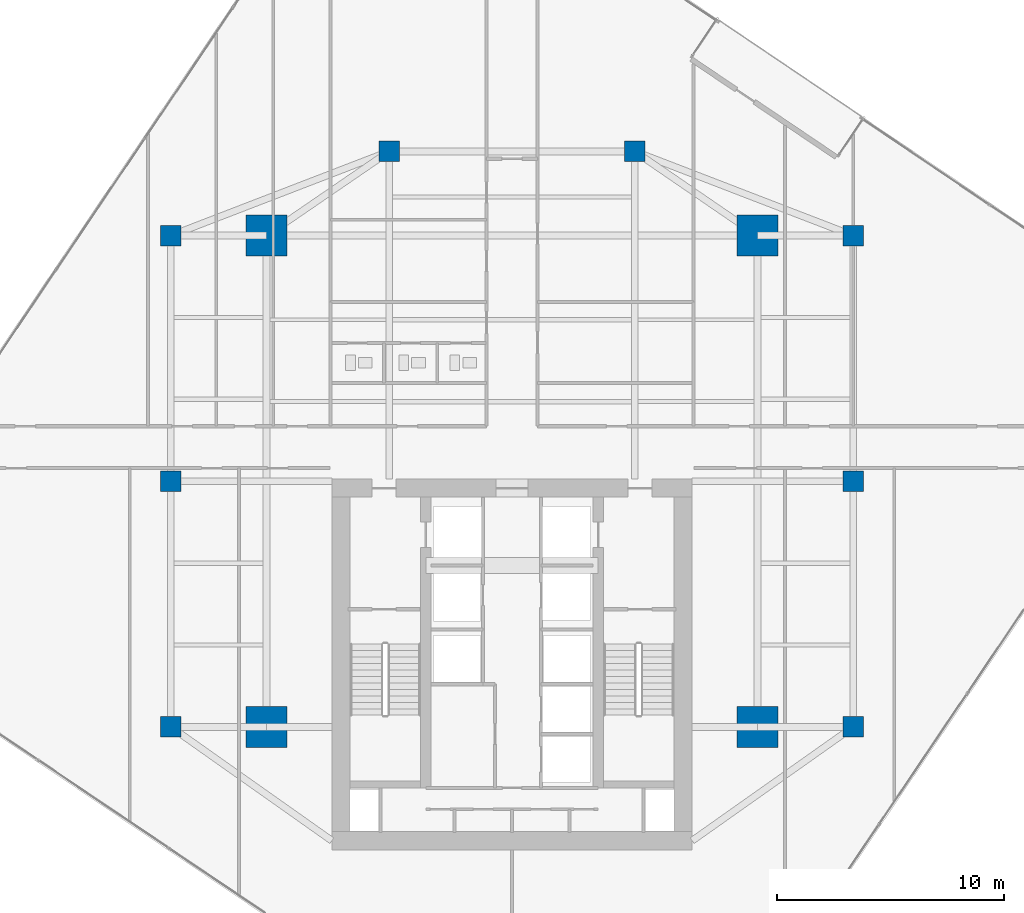
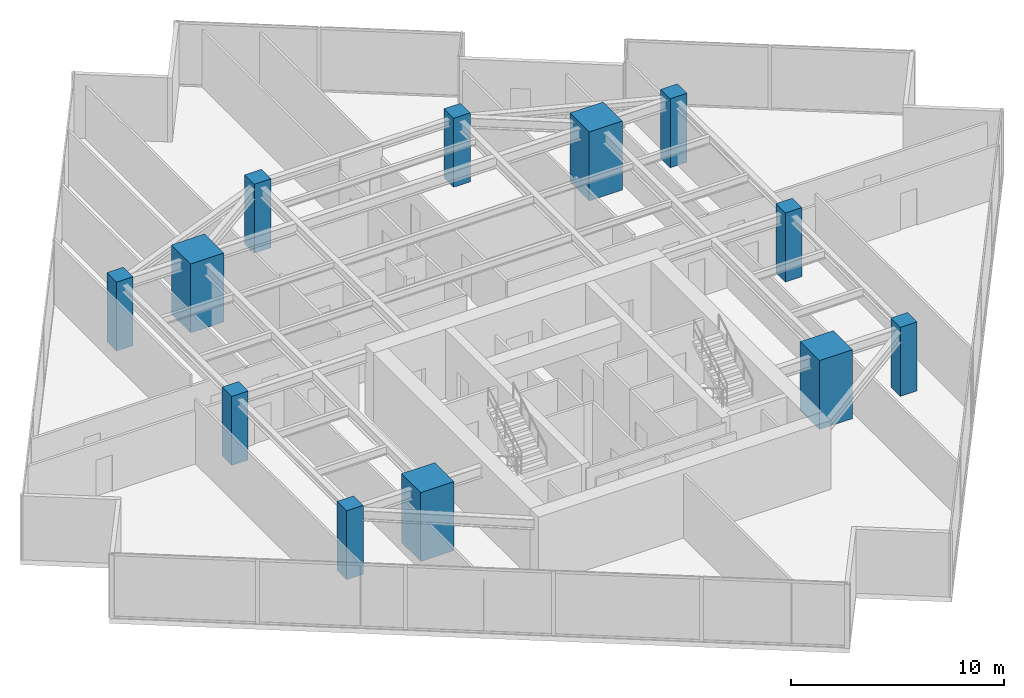
# One storey, part 1 of 27: 12 columns.
"""IFC4 building model written with IfcOpenShell, lengths in metres."""

from ifc_helpers import new_model, si_unit, direction, frame, origin, origin_2d, place, context, subcontext, project, spatial, rectangle, extrude, source, transform, mapped, material, material_profile, profile_set, type_object, type_shapes, element, save


model = new_model("IFC4")

# Units and contexts
model_context = context("Model", 3, precision=1e-05, world=origin(), true_north=direction((0.0, 1.0)))
body_context = subcontext(model_context, "Body", "Model", "MODEL_VIEW")
ifc_project = project(units=[si_unit("LENGTHUNIT", "METRE"), si_unit("AREAUNIT", "SQUARE_METRE"), si_unit("VOLUMEUNIT", "CUBIC_METRE"), si_unit("PLANEANGLEUNIT", "RADIAN"), si_unit("MASSUNIT", "GRAM", prefix="KILO")], contexts=[model_context])

# Site, building, storey
site_placement = place(None, origin())
site = spatial("IfcSite", under=ifc_project, at=site_placement, CompositionType="ELEMENT")
building_placement = place(site_placement, origin())
building = spatial("IfcBuilding", under=site, at=building_placement, Name="Krantzveldt Concourse Tower", CompositionType="ELEMENT")
storey_placement = place(building_placement, frame((0.0, 0.0, 189.64990234375)))
storey = spatial("IfcBuildingStorey", under=building, at=storey_placement, Name="L46", CompositionType="ELEMENT", Elevation=189.64990234375)

# Columns
ifc_material = material(Name="Concrete C50/60", Category="concrete")
ifc_material_profile_1 = material_profile(ifc_material, rectangle(XDim=1.800048828125, YDim=1.800048828125, at=origin_2d()), Name="Concrete C50/60", Category="concrete")
ifc_profile_set_1 = profile_set([ifc_material_profile_1], Name="Concrete C50/60 - RC 1800x1800")
column_type_1 = type_object("IfcColumnType", Name="COL-MC-1800", PredefinedType="USERDEFINED", material=ifc_profile_set_1)
shared_shape_1 = source(origin(), body_context, "Body", "SweptSolid", [
    extrude(rectangle(XDim=1.800048828125, YDim=1.800048828125, at=origin_2d()), origin(), (0.0, 0.0, 1.0), 3.9501953125),
])
type_shapes(column_type_1, [shared_shape_1])
for number, where, z_axis, x_axis, name in (
    (1, (25.199951171875, 15.89990234375, 0.0), (0.0, 0.0, 1.0), (1.0, 0.0, 0.0), "MC-SW-L46"),
    (2, (46.800048828125, 15.89990234375, 0.0), (0.0, 0.0, 1.0), (1.0, 0.0, 0.0), "MC-SE-L46"),
    (3, (46.800048828125, 37.5, 0.0), (0.0, 0.0, 1.0), (1.0, 0.0, 0.0), "MC-NE-L46"),
    (4, (25.199951171875, 37.5, 0.0), (0.0, 0.0, 1.0), (1.0, 0.0, 0.0), "MC-NW-L46"),
):
    element("IfcColumn", number, at=place(storey_placement, frame(where, z_axis=z_axis, x_axis=x_axis)), inside=storey, type_object=column_type_1, Name=name, ObjectType="MEGA COLUMN", PredefinedType="USERDEFINED", context=body_context, shape_type="MappedRepresentation", body=[
        mapped(shared_shape_1, transform((0.0, 0.0, 0.0), x_axis=(1.0, 0.0, 0.0), y_axis=(0.0, 1.0, 0.0), z_axis=(0.0, 0.0, 1.0), scale=1.0)),
    ])
ifc_material_profile_2 = material_profile(ifc_material, rectangle(XDim=0.89990234375, YDim=0.89990234375, at=origin_2d()), Name="Concrete C50/60", Category="concrete")
ifc_profile_set_2 = profile_set([ifc_material_profile_2], Name="Concrete C50/60 - RC 900x900")
column_type_2 = type_object("IfcColumnType", Name="COL-C-Z3", PredefinedType="COLUMN", material=ifc_profile_set_2)
shared_shape_2 = source(origin(), body_context, "Body", "SweptSolid", [
    extrude(rectangle(XDim=0.89990234375, YDim=0.89990234375, at=origin_2d()), origin(), (0.0, 0.0, 1.0), 3.9501953125),
])
type_shapes(column_type_2, [shared_shape_2])
for number, where, z_axis, x_axis, name in (
    (5, (21.0, 15.89990234375, 0.0), (0.0, 0.0, 1.0), (1.0, 0.0, 0.0), "PC-R01-L46"),
    (6, (21.0, 26.699951171875, 0.0), (0.0, 0.0, 1.0), (1.0, 0.0, 0.0), "PC-R02-L46"),
    (7, (21.0, 37.5, 0.0), (0.0, 0.0, 1.0), (1.0, 0.0, 0.0), "PC-R03-L46"),
    (8, (30.60009765625, 41.199951171875, 0.0), (0.0, 0.0, 1.0), (1.0, 0.0, 0.0), "PC-R04-L46"),
    (9, (41.39990234375, 41.199951171875, 0.0), (0.0, 0.0, 1.0), (1.0, 0.0, 0.0), "PC-R05-L46"),
    (10, (51.0, 37.5, 0.0), (0.0, 0.0, 1.0), (1.0, 0.0, 0.0), "PC-R06-L46"),
    (11, (51.0, 26.699951171875, 0.0), (0.0, 0.0, 1.0), (1.0, 0.0, 0.0), "PC-R07-L46"),
    (12, (51.0, 15.89990234375, 0.0), (0.0, 0.0, 1.0), (1.0, 0.0, 0.0), "PC-R08-L46"),
):
    element("IfcColumn", number, at=place(storey_placement, frame(where, z_axis=z_axis, x_axis=x_axis)), inside=storey, type_object=column_type_2, Name=name, PredefinedType="COLUMN", context=body_context, shape_type="MappedRepresentation", body=[
        mapped(shared_shape_2, transform((0.0, 0.0, 0.0), x_axis=(1.0, 0.0, 0.0), y_axis=(0.0, 1.0, 0.0), z_axis=(0.0, 0.0, 1.0), scale=1.0)),
    ])

save(model, "model.ifc")
